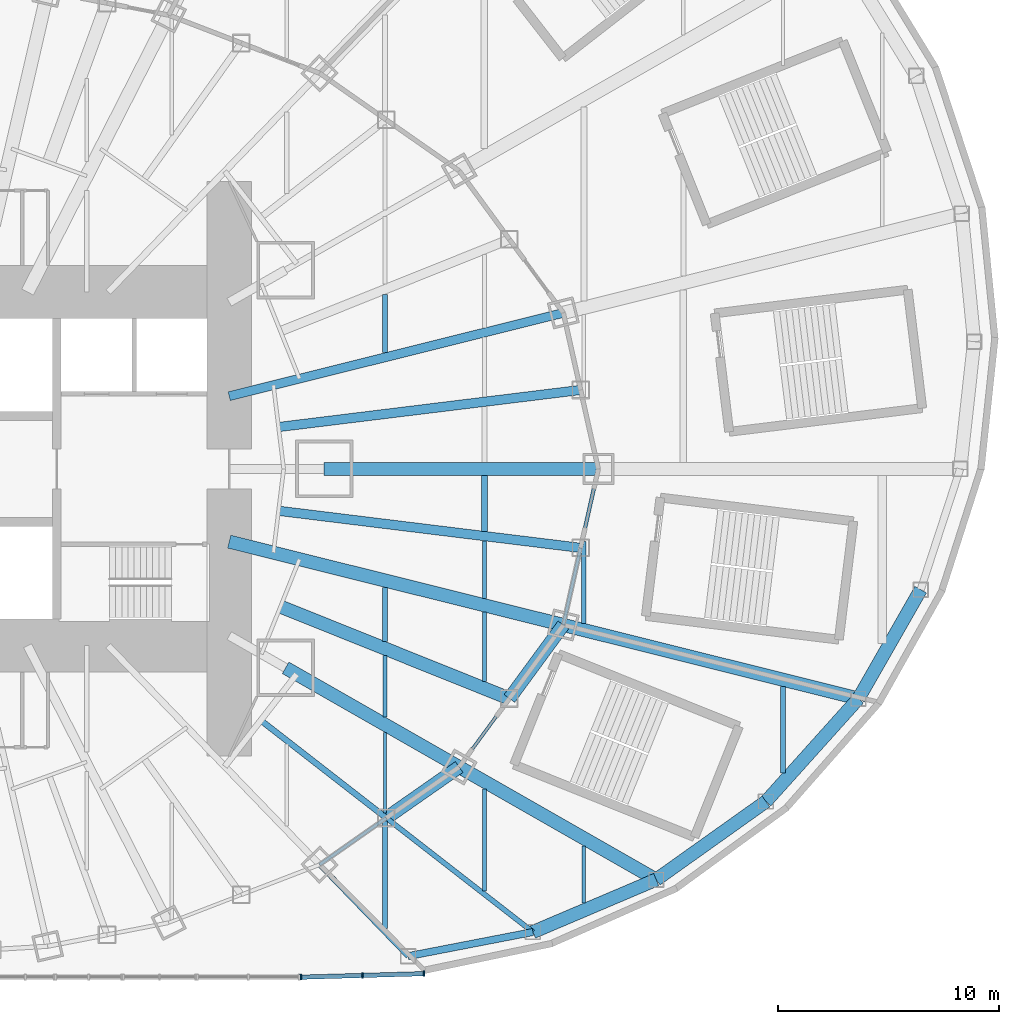
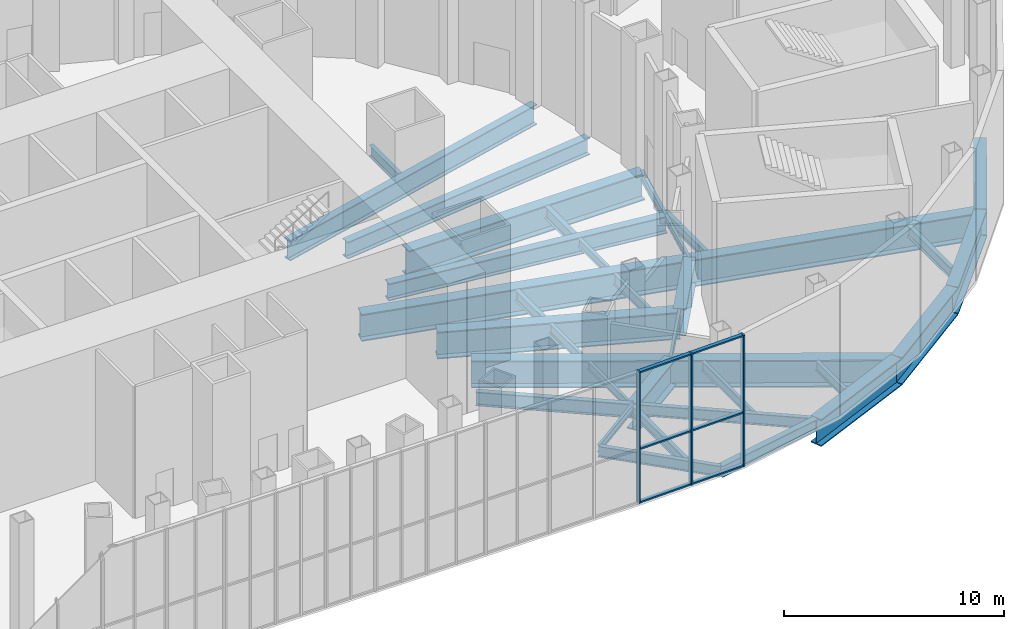
# One storey, part 9 of 73: 35 beams, 9 members, 1 element without a shape of its own.
"""IFC4 building model written with IfcOpenShell, lengths in metres."""

from ifc_helpers import new_model, si_unit, direction, frame, origin, origin_2d, place, context, subcontext, project, spatial, rectangle, i_section, extrude, material, material_profile, profile_set, type_object, element, aggregate, save


model = new_model("IFC4")

# Units and contexts
model_context = context("Model", 3, precision=1e-05, world=origin(), true_north=direction((0.0, 1.0)))
body_context = subcontext(model_context, "Body", "Model", "MODEL_VIEW")
ifc_project = project(units=[si_unit("LENGTHUNIT", "METRE"), si_unit("AREAUNIT", "SQUARE_METRE"), si_unit("VOLUMEUNIT", "CUBIC_METRE"), si_unit("PLANEANGLEUNIT", "RADIAN"), si_unit("MASSUNIT", "GRAM", prefix="KILO")], contexts=[model_context])

# Site, building, storey
site_placement = place(None, origin())
site = spatial("IfcSite", under=ifc_project, at=site_placement, CompositionType="ELEMENT")
building_placement = place(site_placement, origin())
building = spatial("IfcBuilding", under=site, at=building_placement, Name="Lantaw Convention Tower", CompositionType="ELEMENT")
storey_placement = place(building_placement, frame((0.0, 0.0, 14.5)))
storey = spatial("IfcBuildingStorey", under=building, at=storey_placement, Name="L02", CompositionType="ELEMENT", Elevation=14.5)

# Beams
ifc_material_1 = material(Name="Steel ASTM A572 Grade 50", Category="steel")
ifc_material_profile_1 = material_profile(ifc_material_1, i_section(OverallWidth=0.60009765625, OverallDepth=1.5, WebThickness=0.02490234375, FlangeThickness=0.06005859375, at=origin_2d()), Name="PG1500X600X25X60")
ifc_profile_set_1 = profile_set([ifc_material_profile_1], Name="Steel ASTM A572 Grade 50")
beam_type_1 = type_object("IfcBeamType", Name="Beam E PG1500X600X25X60", PredefinedType="SPANDREL", material=ifc_profile_set_1)
beam_1_placement = place(storey_placement, frame((20.308837890625, -15.794189453125, -0.949951171875), z_axis=(0.81942291701, 0.57318939547, 0.0), x_axis=(-0.57318939547, 0.81942291701, 0.0)))
element("IfcBeam", 1, at=beam_1_placement, inside=storey, type_object=beam_type_1, Name="Edge beam 22", PredefinedType="SPANDREL", context=body_context, shape_type="SweptSolid", body=[
    extrude(i_section(OverallWidth=0.60009765625, OverallDepth=1.5, WebThickness=0.02490234375, FlangeThickness=0.06005859375, at=origin_2d()), origin(), (0.0, 0.0, 1.0), 4.0224609375),
])
beam_2_placement = place(storey_placement, frame((25.8779296875, -10.388427734375, -0.949951171875), z_axis=(0.591255937291, 0.806483984105, 0.0), x_axis=(-0.806483984105, 0.591255937291, 0.0)))
element("IfcBeam", 2, at=beam_2_placement, inside=storey, type_object=beam_type_1, Name="Edge beam 23", PredefinedType="SPANDREL", context=body_context, shape_type="SweptSolid", body=[
    extrude(i_section(OverallWidth=0.60009765625, OverallDepth=1.5, WebThickness=0.02490234375, FlangeThickness=0.06005859375, at=origin_2d()), origin(), (0.0, 0.0, 1.0), 4.126708984375),
])
beam_3_placement = place(storey_placement, frame((26.94287109375, -20.95361328125, -0.949951171875), z_axis=(0.920324392734, 0.391155994636, 0.0), x_axis=(-0.391155994636, 0.920324392734, 0.0)))
element("IfcBeam", 3, at=beam_3_placement, inside=storey, type_object=beam_type_1, Name="Podium edge beam B21", PredefinedType="SPANDREL", context=body_context, shape_type="SweptSolid", body=[
    extrude(i_section(OverallWidth=0.60009765625, OverallDepth=1.5, WebThickness=0.02490234375, FlangeThickness=0.06005859375, at=origin_2d()), origin(), (0.0, 0.0, 1.0), 6.060546875),
])
beam_4_placement = place(storey_placement, frame((32.5205078125, -18.5830078125, -0.949951171875), z_axis=(0.814722795246, 0.579850641895, 0.0), x_axis=(-0.579850641895, 0.814722795246, 0.0)))
element("IfcBeam", 4, at=beam_4_placement, inside=storey, type_object=beam_type_1, Name="Podium edge beam R22", PredefinedType="SPANDREL", context=body_context, shape_type="SweptSolid", body=[
    extrude(i_section(OverallWidth=0.60009765625, OverallDepth=1.5, WebThickness=0.02490234375, FlangeThickness=0.06005859375, at=origin_2d()), origin(), (0.0, 0.0, 1.0), 6.095458984375),
])
beam_5_placement = place(storey_placement, frame((37.486572265625, -15.048583984375, -0.949951171875), z_axis=(0.668363614772, 0.74383471178, 0.0), x_axis=(-0.74383471178, 0.668363614772, 0.0)))
element("IfcBeam", 5, at=beam_5_placement, inside=storey, type_object=beam_type_1, Name="Podium edge beam B22", PredefinedType="SPANDREL", context=body_context, shape_type="SweptSolid", body=[
    extrude(i_section(OverallWidth=0.60009765625, OverallDepth=1.5, WebThickness=0.02490234375, FlangeThickness=0.06005859375, at=origin_2d()), origin(), (0.0, 0.0, 1.0), 6.2626953125),
])
beam_6_placement = place(storey_placement, frame((41.67236328125, -10.39013671875, -0.949951171875), z_axis=(0.496180629465, 0.868219317306, 0.0), x_axis=(-0.868219317306, 0.496180629465, 0.0)))
element("IfcBeam", 6, at=beam_6_placement, inside=storey, type_object=beam_type_1, Name="Podium edge beam R23", PredefinedType="SPANDREL", context=body_context, shape_type="SweptSolid", body=[
    extrude(i_section(OverallWidth=0.60009765625, OverallDepth=1.5, WebThickness=0.02490234375, FlangeThickness=0.06005859375, at=origin_2d()), origin(), (0.0, 0.0, 1.0), 5.67578125),
])
ifc_material_2 = material(Name="Steel ASTM A992", Category="steel")
ifc_material_profile_2 = material_profile(ifc_material_2, i_section(OverallWidth=0.140380859375, OverallDepth=0.40380859375, WebThickness=0.007080078125, FlangeThickness=0.01123046875, FilletRadius=0.01025390625, at=origin_2d()), Name="W16X31")
ifc_profile_set_2 = profile_set([ifc_material_profile_2], Name="Steel ASTM A992")
beam_type_2 = type_object("IfcBeamType", Name="Beam E W16X31", PredefinedType="SPANDREL", material=ifc_profile_set_2)
beam_7_placement = place(storey_placement, frame((17.290771484375, -17.9052734375, -0.40185546875), z_axis=(0.819431174801, 0.573177590075, 0.0), x_axis=(-0.573177590075, 0.819431174801, 0.0)))
element("IfcBeam", 7, at=beam_7_placement, inside=storey, type_object=beam_type_2, Name="Edge beam 22", PredefinedType="SPANDREL", context=body_context, shape_type="SweptSolid", body=[
    extrude(i_section(OverallWidth=0.140380859375, OverallDepth=0.40380859375, WebThickness=0.007080078125, FlangeThickness=0.01123046875, FilletRadius=0.01025390625, at=origin_2d()), origin(), (0.0, 0.0, 1.0), 3.68310546875),
])
beam_8_placement = place(storey_placement, frame((23.60498046875, -13.488525390625, -0.40185546875), z_axis=(0.591286566758, 0.806461527893, 0.0), x_axis=(-0.806461527893, 0.591286566758, 0.0)))
element("IfcBeam", 8, at=beam_8_placement, inside=storey, type_object=beam_type_2, Name="Edge beam 23", PredefinedType="SPANDREL", context=body_context, shape_type="SweptSolid", body=[
    extrude(i_section(OverallWidth=0.140380859375, OverallDepth=0.40380859375, WebThickness=0.007080078125, FlangeThickness=0.01123046875, FilletRadius=0.01025390625, at=origin_2d()), origin(), (0.0, 0.0, 1.0), 3.843994140625),
])
beam_9_placement = place(storey_placement, frame((28.31787109375, -7.060302734375, -0.40185546875), z_axis=(0.218673326171, 0.97579812278, 0.0), x_axis=(-0.97579812278, 0.218673326171, 0.0)))
element("IfcBeam", 9, at=beam_9_placement, inside=storey, type_object=beam_type_2, Name="Edge beam 24", PredefinedType="SPANDREL", context=body_context, shape_type="SweptSolid", body=[
    extrude(i_section(OverallWidth=0.140380859375, OverallDepth=0.40380859375, WebThickness=0.007080078125, FlangeThickness=0.01123046875, FilletRadius=0.01025390625, at=origin_2d()), origin(), (0.0, 0.0, 1.0), 3.57373046875),
])
ifc_material_profile_3 = material_profile(ifc_material_2, i_section(OverallWidth=0.165771484375, OverallDepth=0.5283203125, WebThickness=0.009765625, FlangeThickness=0.013671875, FilletRadius=0.012939453125, at=origin_2d()), Name="W21X50")
ifc_profile_set_3 = profile_set([ifc_material_profile_3], Name="Steel ASTM A992")
beam_type_3 = type_object("IfcBeamType", Name="Beam E W21X50", PredefinedType="SPANDREL", material=ifc_profile_set_3)
beam_10_placement = place(storey_placement, frame((29.099365234375, -3.572998046875, -0.464111328125), z_axis=(0.218631550323, 0.975807483679, 0.0), x_axis=(-0.975807483679, 0.218631550323, 0.0)))
element("IfcBeam", 10, at=beam_10_placement, inside=storey, type_object=beam_type_3, Name="Edge beam 24", PredefinedType="SPANDREL", context=body_context, shape_type="SweptSolid", body=[
    extrude(i_section(OverallWidth=0.165771484375, OverallDepth=0.5283203125, WebThickness=0.009765625, FlangeThickness=0.013671875, FilletRadius=0.012939453125, at=origin_2d()), origin(), (0.0, 0.0, 1.0), 3.66162109375),
])
ifc_material_profile_4 = material_profile(ifc_material_2, i_section(OverallWidth=0.3251953125, OverallDepth=0.612060546875, WebThickness=0.0126953125, FlangeThickness=0.01904296875, FilletRadius=0.0126953125, at=origin_2d()), Name="W24X104")
ifc_profile_set_4 = profile_set([ifc_material_profile_4], Name="Steel ASTM A992")
beam_type_4 = type_object("IfcBeamType", Name="Beam E W24X104", PredefinedType="SPANDREL", material=ifc_profile_set_4)
beam_11_placement = place(storey_placement, frame((21.290771484375, -22.04736328125, -0.506103515625), z_axis=(0.981786485539, 0.18998762279, 0.0), x_axis=(-0.18998762279, 0.981786485539, 0.0)))
element("IfcBeam", 11, at=beam_11_placement, inside=storey, type_object=beam_type_4, Name="Podium edge beam R21", PredefinedType="SPANDREL", context=body_context, shape_type="SweptSolid", body=[
    extrude(i_section(OverallWidth=0.3251953125, OverallDepth=0.612060546875, WebThickness=0.0126953125, FlangeThickness=0.01904296875, FilletRadius=0.0126953125, at=origin_2d()), origin(), (0.0, 0.0, 1.0), 5.7568359375),
])
ifc_material_profile_5 = material_profile(ifc_material_1, i_section(OverallWidth=0.60009765625, OverallDepth=1.5, WebThickness=0.02490234375, FlangeThickness=0.06005859375, at=origin_2d()), Name="PG1500X600X25X60")
ifc_profile_set_5 = profile_set([ifc_material_profile_5], Name="Steel ASTM A572 Grade 50")
beam_type_5 = type_object("IfcBeamType", Name="Beam G PG1500X600X25X60", PredefinedType="BEAM", material=ifc_profile_set_5)
beam_12_placement = place(storey_placement, frame((17.5, 0.0, -0.949951171875), z_axis=(1.0, 0.0, 0.0), x_axis=(0.0, 1.0, 0.0)))
element("IfcBeam", 12, at=beam_12_placement, inside=storey, type_object=beam_type_5, Name="Floor girder on ray 1", PredefinedType="BEAM", context=body_context, shape_type="SweptSolid", body=[
    extrude(i_section(OverallWidth=0.60009765625, OverallDepth=1.5, WebThickness=0.02490234375, FlangeThickness=0.06005859375, at=origin_2d()), origin(), (0.0, 0.0, 1.0), 12.39990234375),
])
beam_13_placement = place(storey_placement, frame((15.75, -9.0, -0.949951171875), z_axis=(0.868244802791, -0.496136032179, 0.0), x_axis=(0.496136032179, 0.868244802791, 0.0)))
element("IfcBeam", 13, at=beam_13_placement, inside=storey, type_object=beam_type_5, Name="Floor girder on ray 23", PredefinedType="BEAM", context=body_context, shape_type="SweptSolid", body=[
    extrude(i_section(OverallWidth=0.60009765625, OverallDepth=1.5, WebThickness=0.02490234375, FlangeThickness=0.06005859375, at=origin_2d()), origin(), (0.0, 0.0, 1.0), 9.046875),
])
beam_14_placement = place(storey_placement, frame((15.52001953125, -6.230224609375, -0.949951171875), z_axis=(0.928011337871, -0.37255195179, 0.0), x_axis=(0.37255195179, 0.928011337871, 0.0)))
element("IfcBeam", 14, at=beam_14_placement, inside=storey, type_object=beam_type_5, Name="Floor girder on bisector 23", PredefinedType="BEAM", context=body_context, shape_type="SweptSolid", body=[
    extrude(i_section(OverallWidth=0.60009765625, OverallDepth=1.5, WebThickness=0.02490234375, FlangeThickness=0.06005859375, at=origin_2d()), origin(), (0.0, 0.0, 1.0), 11.161376953125),
])
beam_15_placement = place(storey_placement, frame((13.199951171875, -3.291015625, -0.949951171875), z_axis=(0.970296233567, -0.241919860957, 0.0), x_axis=(0.241919860957, 0.970296233567, 0.0)))
element("IfcBeam", 15, at=beam_15_placement, inside=storey, type_object=beam_type_5, Name="Floor girder on ray 24", PredefinedType="BEAM", context=body_context, shape_type="SweptSolid", body=[
    extrude(i_section(OverallWidth=0.60009765625, OverallDepth=1.5, WebThickness=0.02490234375, FlangeThickness=0.06005859375, at=origin_2d()), origin(), (0.0, 0.0, 1.0), 15.580810546875),
])
ifc_material_profile_6 = material_profile(ifc_material_2, i_section(OverallWidth=0.2666015625, OverallDepth=0.76953125, WebThickness=0.015625, FlangeThickness=0.025390625, FilletRadius=0.0126953125, at=origin_2d()), Name="W30X132")
ifc_profile_set_6 = profile_set([ifc_material_profile_6], Name="Steel ASTM A992")
beam_type_6 = type_object("IfcBeamType", Name="Beam G W30X132", PredefinedType="BEAM", material=ifc_profile_set_6)
beam_16_placement = place(storey_placement, frame((14.628173828125, -11.37646484375, -0.584716796875), z_axis=(0.789390578332, -0.613891289106, 0.0), x_axis=(0.613891289106, 0.789390578332, 0.0)))
element("IfcBeam", 16, at=beam_16_placement, inside=storey, type_object=beam_type_6, Name="Floor girder on bisector 22", PredefinedType="BEAM", context=body_context, shape_type="SweptSolid", body=[
    extrude(i_section(OverallWidth=0.2666015625, OverallDepth=0.76953125, WebThickness=0.015625, FlangeThickness=0.025390625, FilletRadius=0.0126953125, at=origin_2d()), origin(), (0.0, 0.0, 1.0), 7.1962890625),
])
ifc_material_profile_7 = material_profile(ifc_material_2, i_section(OverallWidth=0.421630859375, OverallDepth=0.937255859375, WebThickness=0.0224609375, FlangeThickness=0.039794921875, FilletRadius=0.02001953125, at=origin_2d()), Name="W36X282")
ifc_profile_set_7 = profile_set([ifc_material_profile_7], Name="Steel ASTM A992")
beam_type_7 = type_object("IfcBeamType", Name="Beam G W36X282", PredefinedType="BEAM", material=ifc_profile_set_7)
beam_17_placement = place(storey_placement, frame((15.433349609375, 1.89501953125, -0.668701171875), z_axis=(0.99254612715, 0.121869542874, 0.0), x_axis=(-0.121869542874, 0.99254612715, 0.0)))
element("IfcBeam", 17, at=beam_17_placement, inside=storey, type_object=beam_type_7, Name="Floor girder on bisector 1", PredefinedType="BEAM", context=body_context, shape_type="SweptSolid", body=[
    extrude(i_section(OverallWidth=0.421630859375, OverallDepth=0.937255859375, WebThickness=0.0224609375, FlangeThickness=0.039794921875, FilletRadius=0.02001953125, at=origin_2d()), origin(), (0.0, 0.0, 1.0), 13.7685546875),
])
ifc_material_profile_8 = material_profile(ifc_material_2, i_section(OverallWidth=0.424072265625, OverallDepth=0.947509765625, WebThickness=0.02392578125, FlangeThickness=0.042724609375, FilletRadius=0.012451171875, at=origin_2d()), Name="W36X302")
ifc_profile_set_8 = profile_set([ifc_material_profile_8], Name="Steel ASTM A992")
beam_type_8 = type_object("IfcBeamType", Name="Beam G W36X302", PredefinedType="BEAM", material=ifc_profile_set_8)
beam_18_placement = place(storey_placement, frame((15.433349609375, -1.89501953125, -0.673828125), z_axis=(0.99254612715, -0.121869542874, 0.0), x_axis=(0.121869542874, 0.99254612715, 0.0)))
element("IfcBeam", 18, at=beam_18_placement, inside=storey, type_object=beam_type_8, Name="Floor girder on bisector 24", PredefinedType="BEAM", context=body_context, shape_type="SweptSolid", body=[
    extrude(i_section(OverallWidth=0.424072265625, OverallDepth=0.947509765625, WebThickness=0.02392578125, FlangeThickness=0.042724609375, FilletRadius=0.012451171875, at=origin_2d()), origin(), (0.0, 0.0, 1.0), 13.7685546875),
])
ifc_material_profile_9 = material_profile(ifc_material_2, i_section(OverallWidth=0.40380859375, OverallDepth=1.11767578125, WebThickness=0.026123046875, FlangeThickness=0.044921875, FilletRadius=0.02001953125, at=origin_2d()), Name="W44X335")
ifc_profile_set_9 = profile_set([ifc_material_profile_9], Name="Steel ASTM A992")
beam_type_9 = type_object("IfcBeamType", Name="Beam G W44X335", PredefinedType="BEAM", material=ifc_profile_set_9)
beam_19_placement = place(storey_placement, frame((13.199951171875, 3.291015625, -0.7587890625), z_axis=(0.970296233567, 0.241919860957, 0.0), x_axis=(-0.241919860957, 0.970296233567, 0.0)))
element("IfcBeam", 19, at=beam_19_placement, inside=storey, type_object=beam_type_9, Name="Floor girder on ray 2", PredefinedType="BEAM", context=body_context, shape_type="SweptSolid", body=[
    extrude(i_section(OverallWidth=0.40380859375, OverallDepth=1.11767578125, WebThickness=0.026123046875, FlangeThickness=0.044921875, FilletRadius=0.02001953125, at=origin_2d()), origin(), (0.0, 0.0, 1.0), 15.580810546875),
])
ifc_material_profile_10 = material_profile(ifc_material_2, i_section(OverallWidth=0.15234375, OverallDepth=0.449462890625, WebThickness=0.007568359375, FlangeThickness=0.0107421875, FilletRadius=0.01025390625, at=origin_2d()), Name="W18X35")
ifc_profile_set_10 = profile_set([ifc_material_profile_10], Name="Steel ASTM A992")
beam_type_10 = type_object("IfcBeamType", Name="Beam J W18X35", PredefinedType="JOIST", material=ifc_profile_set_10)
beam_20_placement = place(storey_placement, frame((20.25, -15.57958984375, -0.4248046875), z_axis=(0.0, 1.0, 0.0), x_axis=(-1.0, 0.0, 0.0)))
element("IfcBeam", 20, at=beam_20_placement, inside=storey, type_object=beam_type_10, Name="Floor joist", PredefinedType="JOIST", context=body_context, shape_type="SweptSolid", body=[
    extrude(i_section(OverallWidth=0.15234375, OverallDepth=0.449462890625, WebThickness=0.007568359375, FlangeThickness=0.0107421875, FilletRadius=0.01025390625, at=origin_2d()), origin(), (0.0, 0.0, 1.0), 3.66259765625),
])
ifc_material_profile_11 = material_profile(ifc_material_2, i_section(OverallWidth=0.1904296875, OverallDepth=0.457275390625, WebThickness=0.009033203125, FlangeThickness=0.014404296875, FilletRadius=0.01025390625, at=origin_2d()), Name="W18X50")
ifc_profile_set_11 = profile_set([ifc_material_profile_11], Name="Steel ASTM A992")
beam_type_11 = type_object("IfcBeamType", Name="Beam J W18X50", PredefinedType="JOIST", material=ifc_profile_set_11)
beam_21_placement = place(storey_placement, frame((24.75, -5.861572265625, -0.4287109375), z_axis=(0.0, 1.0, 0.0), x_axis=(-1.0, 0.0, 0.0)))
element("IfcBeam", 21, at=beam_21_placement, inside=storey, type_object=beam_type_11, Name="Floor joist", PredefinedType="JOIST", context=body_context, shape_type="SweptSolid", body=[
    extrude(i_section(OverallWidth=0.1904296875, OverallDepth=0.457275390625, WebThickness=0.009033203125, FlangeThickness=0.014404296875, FilletRadius=0.01025390625, at=origin_2d()), origin(), (0.0, 0.0, 1.0), 2.60888671875),
])
ifc_material_profile_12 = material_profile(ifc_material_2, i_section(OverallWidth=0.1650390625, OverallDepth=0.52587890625, WebThickness=0.0087890625, FlangeThickness=0.011474609375, FilletRadius=0.0126953125, at=origin_2d()), Name="W21X44")
ifc_profile_set_12 = profile_set([ifc_material_profile_12], Name="Steel ASTM A992")
beam_type_12 = type_object("IfcBeamType", Name="Beam J W21X44", PredefinedType="JOIST", material=ifc_profile_set_12)
beam_22_placement = place(storey_placement, frame((20.25, -11.225830078125, -0.462890625), z_axis=(0.0, 1.0, 0.0), x_axis=(-1.0, 0.0, 0.0)))
element("IfcBeam", 22, at=beam_22_placement, inside=storey, type_object=beam_type_12, Name="Floor joist", PredefinedType="JOIST", context=body_context, shape_type="SweptSolid", body=[
    extrude(i_section(OverallWidth=0.1650390625, OverallDepth=0.52587890625, WebThickness=0.0087890625, FlangeThickness=0.011474609375, FilletRadius=0.0126953125, at=origin_2d()), origin(), (0.0, 0.0, 1.0), 2.7734375),
])
beam_23_placement = place(storey_placement, frame((24.75, -19.10302734375, -0.462890625), z_axis=(0.0, 1.0, 0.0), x_axis=(-1.0, 0.0, 0.0)))
element("IfcBeam", 23, at=beam_23_placement, inside=storey, type_object=beam_type_12, Name="Floor joist", PredefinedType="JOIST", context=body_context, shape_type="SweptSolid", body=[
    extrude(i_section(OverallWidth=0.1650390625, OverallDepth=0.52587890625, WebThickness=0.0087890625, FlangeThickness=0.011474609375, FilletRadius=0.0126953125, at=origin_2d()), origin(), (0.0, 0.0, 1.0), 4.61474609375),
])
beam_24_placement = place(storey_placement, frame((29.25, -19.647216796875, -0.462890625), z_axis=(0.0, 1.0, 0.0), x_axis=(-1.0, 0.0, 0.0)))
element("IfcBeam", 24, at=beam_24_placement, inside=storey, type_object=beam_type_12, Name="Floor joist", PredefinedType="JOIST", context=body_context, shape_type="SweptSolid", body=[
    extrude(i_section(OverallWidth=0.1650390625, OverallDepth=0.52587890625, WebThickness=0.0087890625, FlangeThickness=0.011474609375, FilletRadius=0.0126953125, at=origin_2d()), origin(), (0.0, 0.0, 1.0), 2.58740234375),
])
ifc_material_profile_13 = material_profile(ifc_material_2, i_section(OverallWidth=0.209228515625, OverallDepth=0.533447265625, WebThickness=0.01025390625, FlangeThickness=0.015625, FilletRadius=0.012939453125, at=origin_2d()), Name="W21X62")
ifc_profile_set_13 = profile_set([ifc_material_profile_13], Name="Steel ASTM A992")
beam_type_13 = type_object("IfcBeamType", Name="Beam J W21X62", PredefinedType="JOIST", material=ifc_profile_set_13)
beam_25_placement = place(storey_placement, frame((29.25, -6.983642578125, -0.466796875), z_axis=(0.0, 1.0, 0.0), x_axis=(-1.0, 0.0, 0.0)))
element("IfcBeam", 25, at=beam_25_placement, inside=storey, type_object=beam_type_13, Name="Floor joist", PredefinedType="JOIST", context=body_context, shape_type="SweptSolid", body=[
    extrude(i_section(OverallWidth=0.209228515625, OverallDepth=0.533447265625, WebThickness=0.01025390625, FlangeThickness=0.015625, FilletRadius=0.012939453125, at=origin_2d()), origin(), (0.0, 0.0, 1.0), 3.703857421875),
])
ifc_material_profile_14 = material_profile(ifc_material_2, i_section(OverallWidth=0.2099609375, OverallDepth=0.535888671875, WebThickness=0.010986328125, FlangeThickness=0.017333984375, FilletRadius=0.012939453125, at=origin_2d()), Name="W21X68")
ifc_profile_set_14 = profile_set([ifc_material_profile_14], Name="Steel ASTM A992")
beam_type_14 = type_object("IfcBeamType", Name="Beam J W21X68", PredefinedType="JOIST", material=ifc_profile_set_14)
beam_26_placement = place(storey_placement, frame((20.25, -20.805419921875, -0.468017578125), z_axis=(0.0, 1.0, 0.0), x_axis=(-1.0, 0.0, 0.0)))
element("IfcBeam", 26, at=beam_26_placement, inside=storey, type_object=beam_type_14, Name="Floor joist", PredefinedType="JOIST", context=body_context, shape_type="SweptSolid", body=[
    extrude(i_section(OverallWidth=0.2099609375, OverallDepth=0.535888671875, WebThickness=0.010986328125, FlangeThickness=0.017333984375, FilletRadius=0.012939453125, at=origin_2d()), origin(), (0.0, 0.0, 1.0), 4.884521484375),
])
ifc_material_profile_15 = material_profile(ifc_material_2, i_section(OverallWidth=0.177978515625, OverallDepth=0.599365234375, WebThickness=0.010009765625, FlangeThickness=0.012939453125, FilletRadius=0.012939453125, at=origin_2d()), Name="W24X55")
ifc_profile_set_15 = profile_set([ifc_material_profile_15], Name="Steel ASTM A992")
beam_type_15 = type_object("IfcBeamType", Name="Beam J W24X55", PredefinedType="JOIST", material=ifc_profile_set_15)
beam_27_placement = place(storey_placement, frame((24.75, -9.6123046875, -0.499755859375), z_axis=(0.0, 1.0, 0.0), x_axis=(-1.0, 0.0, 0.0)))
element("IfcBeam", 27, at=beam_27_placement, inside=storey, type_object=beam_type_15, Name="Floor joist", PredefinedType="JOIST", context=body_context, shape_type="SweptSolid", body=[
    extrude(i_section(OverallWidth=0.177978515625, OverallDepth=0.599365234375, WebThickness=0.010009765625, FlangeThickness=0.012939453125, FilletRadius=0.012939453125, at=origin_2d()), origin(), (0.0, 0.0, 1.0), 3.13232421875),
])
ifc_material_profile_16 = material_profile(ifc_material_2, i_section(OverallWidth=0.227783203125, OverallDepth=0.60205078125, WebThickness=0.010498046875, FlangeThickness=0.014892578125, FilletRadius=0.012939453125, at=origin_2d()), Name="W24X68")
ifc_profile_set_16 = profile_set([ifc_material_profile_16], Name="Steel ASTM A992")
beam_type_16 = type_object("IfcBeamType", Name="Beam J W24X68", PredefinedType="JOIST", material=ifc_profile_set_16)
beam_28_placement = place(storey_placement, frame((20.25, -7.805908203125, -0.5009765625), z_axis=(0.0, 1.0, 0.0), x_axis=(-1.0, 0.0, 0.0)))
element("IfcBeam", 28, at=beam_28_placement, inside=storey, type_object=beam_type_16, Name="Floor joist", PredefinedType="JOIST", context=body_context, shape_type="SweptSolid", body=[
    extrude(i_section(OverallWidth=0.227783203125, OverallDepth=0.60205078125, WebThickness=0.010498046875, FlangeThickness=0.014892578125, FilletRadius=0.012939453125, at=origin_2d()), origin(), (0.0, 0.0, 1.0), 2.44775390625),
])
beam_29_placement = place(storey_placement, frame((20.25, 5.257080078125, -0.5009765625), z_axis=(0.0, 1.0, 0.0), x_axis=(-1.0, 0.0, 0.0)))
element("IfcBeam", 29, at=beam_29_placement, inside=storey, type_object=beam_type_16, Name="Floor joist", PredefinedType="JOIST", context=body_context, shape_type="SweptSolid", body=[
    extrude(i_section(OverallWidth=0.227783203125, OverallDepth=0.60205078125, WebThickness=0.010498046875, FlangeThickness=0.014892578125, FilletRadius=0.012939453125, at=origin_2d()), origin(), (0.0, 0.0, 1.0), 2.64501953125),
])
ifc_material_profile_17 = material_profile(ifc_material_2, i_section(OverallWidth=0.22900390625, OverallDepth=0.612060546875, WebThickness=0.011962890625, FlangeThickness=0.01953125, FilletRadius=0.0126953125, at=origin_2d()), Name="W24X84")
ifc_profile_set_17 = profile_set([ifc_material_profile_17], Name="Steel ASTM A992")
beam_type_17 = type_object("IfcBeamType", Name="Beam J W24X84", PredefinedType="JOIST", material=ifc_profile_set_17)
beam_30_placement = place(storey_placement, frame((38.25, -13.75, -0.506103515625), z_axis=(0.0, 1.0, 0.0), x_axis=(-1.0, 0.0, 0.0)))
element("IfcBeam", 30, at=beam_30_placement, inside=storey, type_object=beam_type_17, Name="Floor joist", PredefinedType="JOIST", context=body_context, shape_type="SweptSolid", body=[
    extrude(i_section(OverallWidth=0.22900390625, OverallDepth=0.612060546875, WebThickness=0.011962890625, FlangeThickness=0.01953125, FilletRadius=0.0126953125, at=origin_2d()), origin(), (0.0, 0.0, 1.0), 3.904052734375),
])
ifc_material_profile_18 = material_profile(ifc_material_2, i_section(OverallWidth=0.25390625, OverallDepth=0.683349609375, WebThickness=0.012451171875, FlangeThickness=0.01904296875, FilletRadius=0.01513671875, at=origin_2d()), Name="W27X94")
ifc_profile_set_18 = profile_set([ifc_material_profile_18], Name="Steel ASTM A992")
beam_type_18 = type_object("IfcBeamType", Name="Beam J W27X94", PredefinedType="JOIST", material=ifc_profile_set_18)
beam_31_placement = place(storey_placement, frame((24.75, -2.8251953125, -0.541748046875), z_axis=(0.0, 1.0, 0.0), x_axis=(-1.0, 0.0, 0.0)))
element("IfcBeam", 31, at=beam_31_placement, inside=storey, type_object=beam_type_18, Name="Floor joist", PredefinedType="JOIST", context=body_context, shape_type="SweptSolid", body=[
    extrude(i_section(OverallWidth=0.25390625, OverallDepth=0.683349609375, WebThickness=0.012451171875, FlangeThickness=0.01904296875, FilletRadius=0.01513671875, at=origin_2d()), origin(), (0.0, 0.0, 1.0), 2.525146484375),
])
ifc_material_profile_19 = material_profile(ifc_material_1, i_section(OverallWidth=0.60009765625, OverallDepth=1.5, WebThickness=0.02490234375, FlangeThickness=0.06005859375, at=origin_2d()), Name="PG1500X600X25X60")
ifc_profile_set_19 = profile_set([ifc_material_profile_19], Name="Steel ASTM A572 Grade 50")
beam_type_19 = type_object("IfcBeamType", Name="Beam PG PG1500X600X25X60", PredefinedType="BEAM", material=ifc_profile_set_19)
beam_32_placement = place(storey_placement, frame((23.60498046875, -13.488525390625, -0.949951171875), z_axis=(0.868247531483, -0.4961312569, 0.0), x_axis=(0.4961312569, 0.868247531483, 0.0)))
element("IfcBeam", 32, at=beam_32_placement, inside=storey, type_object=beam_type_19, Name="Podium girder PR23", PredefinedType="BEAM", context=body_context, shape_type="SweptSolid", body=[
    extrude(i_section(OverallWidth=0.60009765625, OverallDepth=1.5, WebThickness=0.02490234375, FlangeThickness=0.06005859375, at=origin_2d()), origin(), (0.0, 0.0, 1.0), 10.268310546875),
])
beam_33_placement = place(storey_placement, frame((28.31787109375, -7.060302734375, -0.949951171875), z_axis=(0.97029256898, -0.24193455847, 0.0), x_axis=(0.24193455847, 0.97029256898, 0.0)))
element("IfcBeam", 33, at=beam_33_placement, inside=storey, type_object=beam_type_19, Name="Podium girder PR24", PredefinedType="BEAM", context=body_context, shape_type="SweptSolid", body=[
    extrude(i_section(OverallWidth=0.60009765625, OverallDepth=1.5, WebThickness=0.02490234375, FlangeThickness=0.06005859375, at=origin_2d()), origin(), (0.0, 0.0, 1.0), 13.763427734375),
])
ifc_material_profile_20 = material_profile(ifc_material_2, i_section(OverallWidth=0.227783203125, OverallDepth=0.60205078125, WebThickness=0.010498046875, FlangeThickness=0.014892578125, FilletRadius=0.012939453125, at=origin_2d()), Name="W24X68")
ifc_profile_set_20 = profile_set([ifc_material_profile_20], Name="Steel ASTM A992")
beam_type_20 = type_object("IfcBeamType", Name="Beam PG W24X68", PredefinedType="BEAM", material=ifc_profile_set_20)
beam_34_placement = place(storey_placement, frame((17.290771484375, -17.9052734375, -0.5009765625), z_axis=(0.694661096328, -0.719337167987, 0.0), x_axis=(0.719337167987, 0.694661096328, 0.0)))
element("IfcBeam", 34, at=beam_34_placement, inside=storey, type_object=beam_type_20, Name="Podium girder PR22", PredefinedType="BEAM", context=body_context, shape_type="SweptSolid", body=[
    extrude(i_section(OverallWidth=0.227783203125, OverallDepth=0.60205078125, WebThickness=0.010498046875, FlangeThickness=0.014892578125, FilletRadius=0.012939453125, at=origin_2d()), origin(), (0.0, 0.0, 1.0), 5.75830078125),
])
ifc_material_profile_21 = material_profile(ifc_material_2, i_section(OverallWidth=0.22900390625, OverallDepth=0.612060546875, WebThickness=0.011962890625, FlangeThickness=0.01953125, FilletRadius=0.0126953125, at=origin_2d()), Name="W24X84")
ifc_profile_set_21 = profile_set([ifc_material_profile_21], Name="Steel ASTM A992")
beam_type_21 = type_object("IfcBeamType", Name="Beam PG W24X84", PredefinedType="BEAM", material=ifc_profile_set_21)
beam_35_placement = place(storey_placement, frame((20.308837890625, -15.794189453125, -0.506103515625), z_axis=(0.789374116062, -0.613912457025, 0.0), x_axis=(0.613912457025, 0.789374116062, 0.0)))
element("IfcBeam", 35, at=beam_35_placement, inside=storey, type_object=beam_type_21, Name="Podium girder PB22", PredefinedType="BEAM", context=body_context, shape_type="SweptSolid", body=[
    extrude(i_section(OverallWidth=0.22900390625, OverallDepth=0.612060546875, WebThickness=0.011962890625, FlangeThickness=0.01953125, FilletRadius=0.0126953125, at=origin_2d()), origin(), (0.0, 0.0, 1.0), 8.404052734375),
])

# Curtain wall, members
ifc_material_3 = material(Name="Aluminium framed curtain wall", Category="aluminium")
curtain_wall_type = type_object("IfcCurtainWallType", Name="Podium storefront curtain wall, pale aluminium", PredefinedType="USERDEFINED", material=ifc_material_3)
curtain_wall_placement = place(storey_placement, origin())
curtain_wall = element("IfcCurtainWall", 36, at=curtain_wall_placement, inside=storey, type_object=curtain_wall_type, Name="Podium storefront curtain wall, pale aluminium L02", ObjectType="STOREFRONT", PredefinedType="USERDEFINED")
ifc_material_4 = material(Name="Aluminium 6063-T6", Category="aluminium")
ifc_material_profile_22 = material_profile(ifc_material_4, rectangle(XDim=0.25, YDim=0.080078125, at=origin_2d()), Name="CW-P mullion 80x250")
ifc_profile_set_22 = profile_set([ifc_material_profile_22], Name="Aluminium 6063-T6")
member_type_1 = type_object("IfcMemberType", Name="CW-P mullion 80x250", PredefinedType="MULLION", material=ifc_profile_set_22)
member_1_placement = place(storey_placement, frame((16.44580078125, -22.998779296875, 0.0), z_axis=(0.0, 0.0, 1.0), x_axis=(-0.028552206976, 0.99959230263, 0.0)))
member_1 = element("IfcMember", 37, at=member_1_placement, type_object=member_type_1, Name="CW-P mullion 1", PredefinedType="MULLION", context=body_context, shape_type="SweptSolid", body=[
    extrude(rectangle(XDim=0.25, YDim=0.080078125, at=origin_2d()), origin(), (0.0, 0.0, 1.0), 7.300048828125),
])
member_2_placement = place(storey_placement, frame((19.23046875, -22.91943359375, 0.0), z_axis=(0.0, 0.0, 1.0), x_axis=(-0.028552206976, 0.99959230263, 0.0)))
member_2 = element("IfcMember", 38, at=member_2_placement, type_object=member_type_1, Name="CW-P mullion 2", PredefinedType="MULLION", context=body_context, shape_type="SweptSolid", body=[
    extrude(rectangle(XDim=0.25, YDim=0.080078125, at=origin_2d()), origin(), (0.0, 0.0, 1.0), 7.300048828125),
])
member_3_placement = place(storey_placement, frame((22.01513671875, -22.83984375, 0.0), z_axis=(0.0, 0.0, 1.0), x_axis=(-0.028552206976, 0.99959230263, 0.0)))
member_3 = element("IfcMember", 39, at=member_3_placement, type_object=member_type_1, Name="CW-P mullion 3", PredefinedType="MULLION", context=body_context, shape_type="SweptSolid", body=[
    extrude(rectangle(XDim=0.25, YDim=0.080078125, at=origin_2d()), origin(), (0.0, 0.0, 1.0), 7.300048828125),
])
ifc_material_profile_23 = material_profile(ifc_material_4, rectangle(XDim=0.199951171875, YDim=0.080078125, at=origin_2d()), Name="CW-P transom 80x200")
ifc_profile_set_23 = profile_set([ifc_material_profile_23], Name="Aluminium 6063-T6")
member_type_2 = type_object("IfcMemberType", Name="CW-P transom 80x200", PredefinedType="USERDEFINED", material=ifc_profile_set_23)
member_4_placement = place(storey_placement, frame((16.485595703125, -22.997802734375, 0.0400390625), z_axis=(0.999590908137, 0.028600985457, 0.0), x_axis=(-0.028600985457, 0.999590908137, 0.0)))
member_4 = element("IfcMember", 40, at=member_4_placement, type_object=member_type_2, Name="CW-P transom 1.1", ObjectType="TRANSOM", PredefinedType="USERDEFINED", context=body_context, shape_type="SweptSolid", body=[
    extrude(rectangle(XDim=0.199951171875, YDim=0.080078125, at=origin_2d()), origin(), (0.0, 0.0, 1.0), 2.7060546875),
])
member_5_placement = place(storey_placement, frame((16.485595703125, -22.997802734375, 3.0), z_axis=(0.999590908137, 0.028600985457, 0.0), x_axis=(-0.028600985457, 0.999590908137, 0.0)))
member_5 = element("IfcMember", 41, at=member_5_placement, type_object=member_type_2, Name="CW-P transom 1.2", ObjectType="TRANSOM", PredefinedType="USERDEFINED", context=body_context, shape_type="SweptSolid", body=[
    extrude(rectangle(XDim=0.199951171875, YDim=0.080078125, at=origin_2d()), origin(), (0.0, 0.0, 1.0), 2.7060546875),
])
member_6_placement = place(storey_placement, frame((16.485595703125, -22.997802734375, 7.260009765625), z_axis=(0.999590908137, 0.028600985457, 0.0), x_axis=(-0.028600985457, 0.999590908137, 0.0)))
member_6 = element("IfcMember", 42, at=member_6_placement, type_object=member_type_2, Name="CW-P transom 1.3", ObjectType="TRANSOM", PredefinedType="USERDEFINED", context=body_context, shape_type="SweptSolid", body=[
    extrude(rectangle(XDim=0.199951171875, YDim=0.080078125, at=origin_2d()), origin(), (0.0, 0.0, 1.0), 2.7060546875),
])
member_7_placement = place(storey_placement, frame((19.270263671875, -22.918212890625, 0.0400390625), z_axis=(0.999590908137, 0.028600985457, 0.0), x_axis=(-0.028600985457, 0.999590908137, 0.0)))
member_7 = element("IfcMember", 43, at=member_7_placement, type_object=member_type_2, Name="CW-P transom 2.1", ObjectType="TRANSOM", PredefinedType="USERDEFINED", context=body_context, shape_type="SweptSolid", body=[
    extrude(rectangle(XDim=0.199951171875, YDim=0.080078125, at=origin_2d()), origin(), (0.0, 0.0, 1.0), 2.7060546875),
])
member_8_placement = place(storey_placement, frame((19.270263671875, -22.918212890625, 3.0), z_axis=(0.999590908137, 0.028600985457, 0.0), x_axis=(-0.028600985457, 0.999590908137, 0.0)))
member_8 = element("IfcMember", 44, at=member_8_placement, type_object=member_type_2, Name="CW-P transom 2.2", ObjectType="TRANSOM", PredefinedType="USERDEFINED", context=body_context, shape_type="SweptSolid", body=[
    extrude(rectangle(XDim=0.199951171875, YDim=0.080078125, at=origin_2d()), origin(), (0.0, 0.0, 1.0), 2.7060546875),
])
member_9_placement = place(storey_placement, frame((19.270263671875, -22.918212890625, 7.260009765625), z_axis=(0.999590908137, 0.028600985457, 0.0), x_axis=(-0.028600985457, 0.999590908137, 0.0)))
member_9 = element("IfcMember", 45, at=member_9_placement, type_object=member_type_2, Name="CW-P transom 2.3", ObjectType="TRANSOM", PredefinedType="USERDEFINED", context=body_context, shape_type="SweptSolid", body=[
    extrude(rectangle(XDim=0.199951171875, YDim=0.080078125, at=origin_2d()), origin(), (0.0, 0.0, 1.0), 2.7060546875),
])
aggregate(curtain_wall, [member_1, member_2, member_3, member_4, member_5, member_6, member_7, member_8, member_9])

save(model, "model.ifc")
